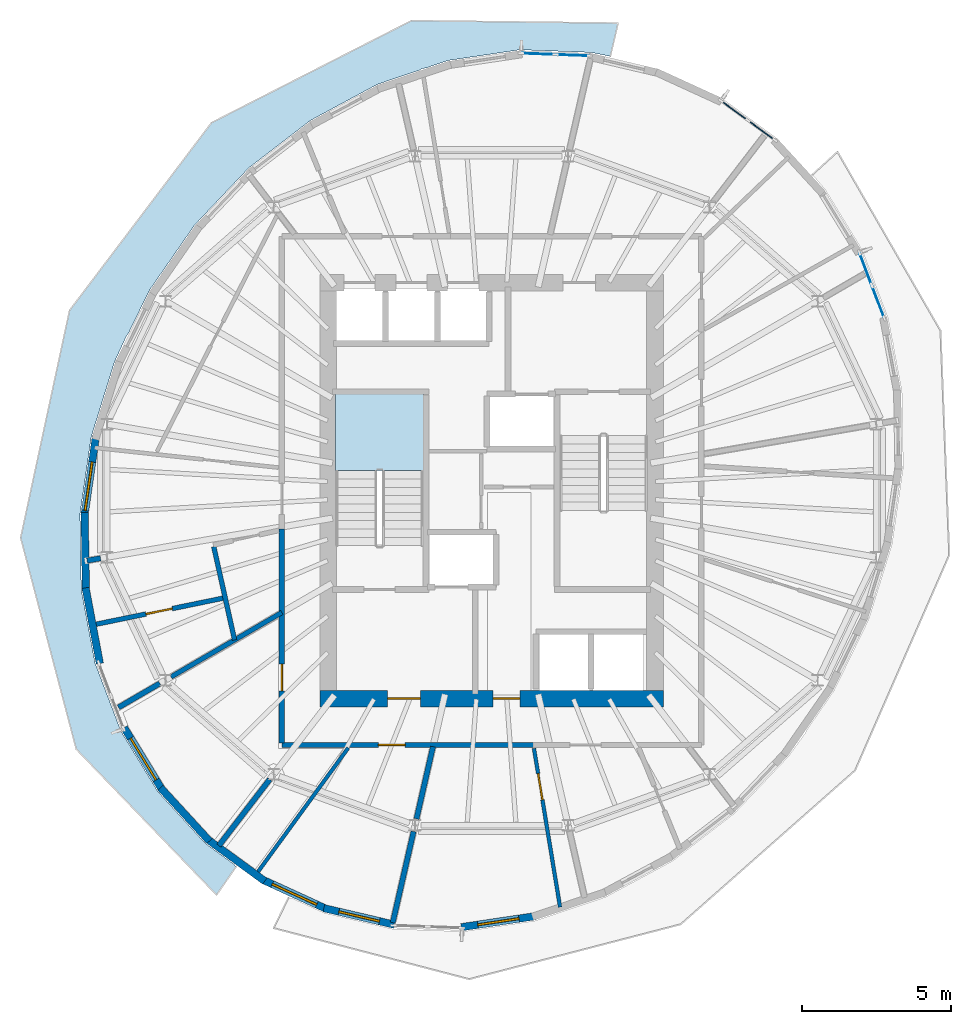
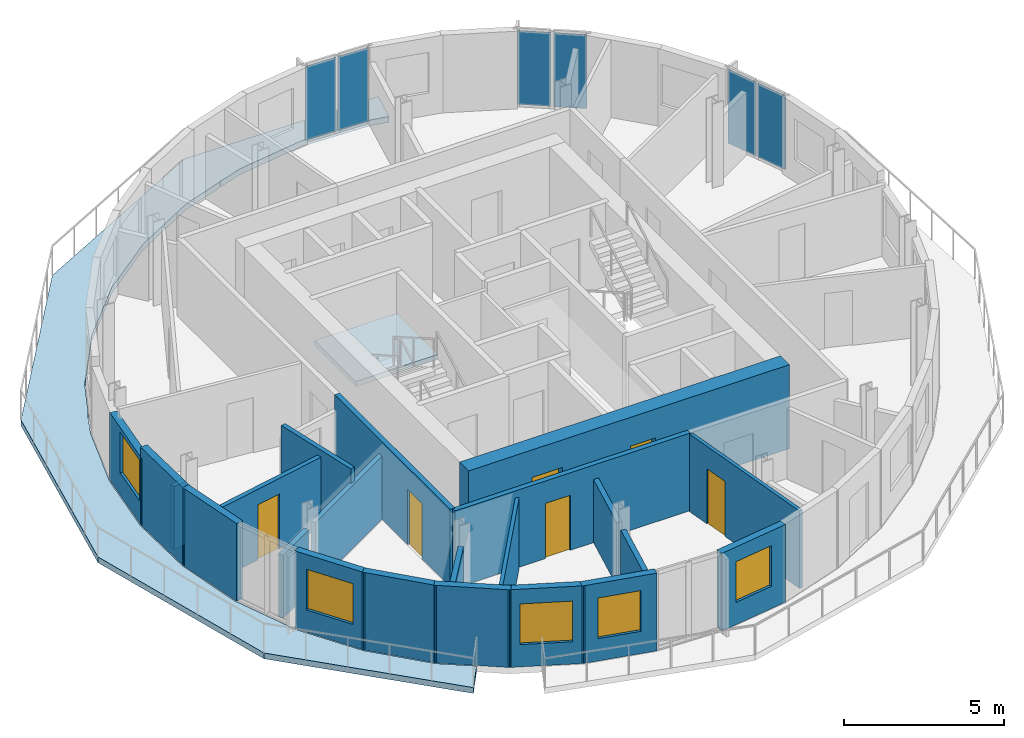
# One storey, part 4 of 11: 22 walls, 6 doors, 6 plates, 5 windows, 2 slabs, 11 openings, 4 elements without a shape of their own.
"""IFC4 building model written with IfcOpenShell, lengths in metres."""

from ifc_helpers import new_model, si_unit, direction, frame, frame_2d, origin, origin_2d, place, context, subcontext, project, spatial, polyline, rectangle, outline, extrude, material, layer, layer_set, type_object, element, fill, aggregate, save


model = new_model("IFC4")

# Units and contexts
model_context = context("Model", 3, precision=1e-05, world=origin(), true_north=direction((0.0, 1.0)))
body_context = subcontext(model_context, "Body", "Model", "MODEL_VIEW")
ifc_project = project(units=[si_unit("LENGTHUNIT", "METRE"), si_unit("AREAUNIT", "SQUARE_METRE"), si_unit("VOLUMEUNIT", "CUBIC_METRE"), si_unit("PLANEANGLEUNIT", "RADIAN"), si_unit("MASSUNIT", "GRAM", prefix="KILO")], contexts=[model_context])

# Site, building, storey
site_placement = place(None, origin())
site = spatial("IfcSite", under=ifc_project, at=site_placement, CompositionType="ELEMENT")
building_placement = place(site_placement, origin())
building = spatial("IfcBuilding", under=site, at=building_placement, Name="Veldorim Arch Residences", CompositionType="ELEMENT")
storey_placement = place(building_placement, frame((0.0, 0.0, 236.639892578125)))
storey = spatial("IfcBuildingStorey", under=building, at=storey_placement, Name="L71", CompositionType="ELEMENT", Elevation=236.639892578125)

# Slab
ifc_material_1 = material(Name="Concrete C40/50", Category="concrete")
ifc_layer_1 = layer(ifc_material_1, 0.219970703125, Name="Planted Crescent Cantilever Balcony Slab 220")
ifc_layer_set_1 = layer_set([ifc_layer_1], Name="Concrete C40/50")
slab_type_1 = type_object("IfcSlabType", Name="Planted Crescent Cantilever Balcony Slab 220", PredefinedType="FLOOR", material=ifc_layer_set_1)
slab_1_placement = place(storey_placement, frame((0.0, 0.0, -0.219970703125)))
element("IfcSlab", 1, at=slab_1_placement, inside=storey, type_object=slab_type_1, Name="L71 planted crescent balcony slab A", PredefinedType="FLOOR", context=body_context, shape_type="SweptSolid", body=[
    extrude(outline(polyline([(35.997314453125, 38.618896484375), (35.3486328125, 38.74951171875), (32.957763671875, 38.83935546875), (30.537841796875, 38.478271484375), (29.7763671875, 38.221435546875), (29.680419921875, 38.21533203125), (29.5712890625, 38.15234375), (28.162841796875, 37.677490234375), (25.904296875, 36.4609375), (23.831298828125, 34.8662109375), (22.00634765625, 32.94140625), (20.485107421875, 30.7451171875), (19.787109375, 29.314697265625), (19.71484375, 29.21630859375), (19.313232421875, 28.34375), (18.52685546875, 25.810546875), (18.14990234375, 23.222412109375), (18.193359375, 20.65771484375), (18.656494140625, 18.194091796875), (19.52490234375, 15.906982421875), (20.772705078125, 13.865478515625), (22.36181640625, 12.132080078125), (23.31396484375, 11.4375), (23.397705078125, 11.33642578125), (22.7421875, 10.3916015625), (18.0205078125, 15.2978515625), (16.1494140625, 22.412841796875), (17.7958984375, 30.069091796875), (22.573486328125, 36.384765625), (29.302978515625, 39.819091796875), (36.259033203125, 39.73876953125), (35.997314453125, 38.618896484375)])), origin(), (0.0, 0.0, 1.0), 0.219970703125),
])

# Stair, slab
ifc_material_2 = material(Name="Concrete C40/50", Category="concrete")
stair_type = type_object("IfcStairType", Name="Reinforced Concrete Dogleg Exit Staircase", PredefinedType="HALF_TURN_STAIR", material=ifc_material_2)
stair_placement = place(storey_placement, origin())
stair = element("IfcStair", 2, at=stair_placement, inside=storey, type_object=stair_type, Name="L71 Exit Staircase ST-1", PredefinedType="HALF_TURN_STAIR")
ifc_material_3 = material(Name="Concrete C40/50", Category="concrete")
ifc_layer_2 = layer(ifc_material_3, 0.199951171875, Name="Reinforced Concrete Stair Landing 200")
ifc_layer_set_2 = layer_set([ifc_layer_2], Name="Concrete C40/50")
slab_type_2 = type_object("IfcSlabType", Name="Reinforced Concrete Stair Landing 200", PredefinedType="LANDING", material=ifc_layer_set_2)
slab_2_placement = place(storey_placement, frame((0.0, 0.0, 1.400146484375)))
slab_2 = element("IfcSlab", 3, at=slab_2_placement, type_object=slab_type_2, Name="ST-1 landing 1", PredefinedType="LANDING", context=body_context, shape_type="SweptSolid", body=[
    extrude(outline(polyline([(29.7099609375, 24.669921875), (29.7099609375, 27.25), (26.75, 27.25), (26.75, 24.669921875), (29.7099609375, 24.669921875)])), origin(), (0.0, 0.0, 1.0), 0.199951171875),
])
aggregate(stair, [slab_2])

# Curtain wall, plates
ifc_material_4 = material(Name="Aluminium", Category="aluminium")
curtain_wall_type = type_object("IfcCurtainWallType", Name="Zone 4 High-Altitude Unitised Curtain Wall", PredefinedType="NOTDEFINED", material=ifc_material_4)
curtain_wall_1_placement = place(storey_placement, origin())
curtain_wall_1 = element("IfcCurtainWall", 4, at=curtain_wall_1_placement, inside=storey, type_object=curtain_wall_type, Name="L71 unitised curtain wall bay 03", PredefinedType="NOTDEFINED")
ifc_material_5 = material(Name="Laminated Low-E Glass", Category="glass")
ifc_layer_3 = layer(ifc_material_5, 0.030029296875, Name="Zone 4 High-Altitude Unitised Curtain Wall Glazing Panel 30")
ifc_layer_set_3 = layer_set([ifc_layer_3], Name="Laminated Low-E Glass")
plate_type = type_object("IfcPlateType", Name="Zone 4 High-Altitude Unitised Curtain Wall Glazing Panel 30", PredefinedType="CURTAIN_PANEL", material=ifc_layer_set_3)
plate_1_placement = place(storey_placement, frame((33.571044921875, 38.701171875, 0.0751953125), z_axis=(0.0, 0.0, 1.0), x_axis=(0.999292627791, -0.037606436173, 0.0)))
plate_1 = element("IfcPlate", 5, at=plate_1_placement, type_object=plate_type, Name="CW-Z4 panel 1.1", PredefinedType="CURTAIN_PANEL", context=body_context, shape_type="SweptSolid", body=[
    extrude(rectangle(XDim=1.08154296875, YDim=0.030029296875, at=origin_2d()), origin(), (0.0, 0.0, 1.0), 2.81005859375),
])
plate_2_placement = place(storey_placement, frame((34.7265625, 38.65771484375, 0.0751953125), z_axis=(0.0, 0.0, 1.0), x_axis=(0.999292627791, -0.037606436173, 0.0)))
plate_2 = element("IfcPlate", 6, at=plate_2_placement, type_object=plate_type, Name="CW-Z4 panel 2.1", PredefinedType="CURTAIN_PANEL", context=body_context, shape_type="SweptSolid", body=[
    extrude(rectangle(XDim=1.08154296875, YDim=0.030029296875, at=origin_2d()), origin(), (0.0, 0.0, 1.0), 2.81005859375),
])
aggregate(curtain_wall_1, [plate_1, plate_2])

curtain_wall_2_placement = place(storey_placement, origin())
curtain_wall_2 = element("IfcCurtainWall", 7, at=curtain_wall_2_placement, inside=storey, type_object=curtain_wall_type, Name="L71 unitised curtain wall bay 33", PredefinedType="NOTDEFINED")
plate_3_placement = place(storey_placement, frame((44.591796875, 31.461669921875, 0.0751953125), z_axis=(0.0, 0.0, 1.0), x_axis=(0.355002333755, -0.934865414393, 0.0)))
plate_3 = element("IfcPlate", 8, at=plate_3_placement, type_object=plate_type, Name="CW-Z4 panel 1.1", PredefinedType="CURTAIN_PANEL", context=body_context, shape_type="SweptSolid", body=[
    extrude(rectangle(XDim=1.1083984375, YDim=0.030029296875, at=origin_2d()), origin(), (0.0, 0.0, 1.0), 2.81005859375),
])
plate_4_placement = place(storey_placement, frame((45.011962890625, 30.355224609375, 0.0751953125), z_axis=(0.0, 0.0, 1.0), x_axis=(0.355002333755, -0.934865414393, 0.0)))
plate_4 = element("IfcPlate", 9, at=plate_4_placement, type_object=plate_type, Name="CW-Z4 panel 2.1", PredefinedType="CURTAIN_PANEL", context=body_context, shape_type="SweptSolid", body=[
    extrude(rectangle(XDim=1.1083984375, YDim=0.030029296875, at=origin_2d()), origin(), (0.0, 0.0, 1.0), 2.81005859375),
])
aggregate(curtain_wall_2, [plate_3, plate_4])

curtain_wall_3_placement = place(storey_placement, origin())
curtain_wall_3 = element("IfcCurtainWall", 10, at=curtain_wall_3_placement, inside=storey, type_object=curtain_wall_type, Name="L71 unitised curtain wall bay 36", PredefinedType="NOTDEFINED")
plate_5_placement = place(storey_placement, frame((40.1748046875, 36.79296875, 0.0751953125), z_axis=(0.0, 0.0, 1.0), x_axis=(0.807929877105, -0.589278638406, 0.0)))
plate_5 = element("IfcPlate", 11, at=plate_5_placement, type_object=plate_type, Name="CW-Z4 panel 1.1", PredefinedType="CURTAIN_PANEL", context=body_context, shape_type="SweptSolid", body=[
    extrude(rectangle(XDim=1.0498046875, YDim=0.030029296875, at=origin_2d()), origin(), (0.0, 0.0, 1.0), 2.81005859375),
])
plate_6_placement = place(storey_placement, frame((41.083740234375, 36.130126953125, 0.0751953125), z_axis=(0.0, 0.0, 1.0), x_axis=(0.807929877105, -0.589278638406, 0.0)))
plate_6 = element("IfcPlate", 12, at=plate_6_placement, type_object=plate_type, Name="CW-Z4 panel 2.1", PredefinedType="CURTAIN_PANEL", context=body_context, shape_type="SweptSolid", body=[
    extrude(rectangle(XDim=1.0498046875, YDim=0.030029296875, at=origin_2d()), origin(), (0.0, 0.0, 1.0), 2.81005859375),
])
aggregate(curtain_wall_3, [plate_5, plate_6])

# Wall
ifc_material_6 = material(Name="Acoustic Gypsum Board", Category="gypsum")
ifc_layer_4 = layer(ifc_material_6, 0.125, Name="Acoustic Stud Room Partition Wall 125")
ifc_layer_set_4 = layer_set([ifc_layer_4], Name="Acoustic Gypsum Board")
wall_type_1 = type_object("IfcWallType", Name="Acoustic Stud Room Partition Wall 125", PredefinedType="PARTITIONING", material=ifc_layer_set_4)
wall_1_placement = place(storey_placement, frame((24.07568359375, 11.086181640625, 0.0), z_axis=(0.0, 0.0, 1.0), x_axis=(0.588877051888, 0.808222628834, 0.0)))
element("IfcWall", 13, at=wall_1_placement, inside=storey, type_object=wall_type_1, Name="L71 interior wall WL-RES-L71-009", PredefinedType="PARTITIONING", context=body_context, shape_type="SweptSolid", body=[
    extrude(rectangle(XDim=5.266845703125, YDim=0.125, at=frame_2d((2.63330078125, 0.0))), origin(), (0.0, 0.0, 1.0), 2.692138671875),
])

# Wall, opening, door
wall_2_placement = place(storey_placement, frame((34.306396484375, 9.98046875, 0.0), z_axis=(0.0, 0.0, 1.0), x_axis=(-0.162328724732, 0.98673673547, 0.0)))
wall_2 = element("IfcWall", 14, at=wall_2_placement, inside=storey, type_object=wall_type_1, Name="L71 interior wall WL-RES-L71-013", PredefinedType="PARTITIONING", context=body_context, shape_type="SweptSolid", body=[
    extrude(rectangle(XDim=5.412841796875, YDim=0.125, at=frame_2d((2.70654296875, 0.0))), origin(), (0.0, 0.0, 1.0), 2.955078125),
])
opening_1_placement = place(wall_2_placement, frame((3.656494140625, 0.0, 0.0)))
opening_1 = element("IfcOpeningElement", 15, at=opening_1_placement, cuts=wall_2, Name="Opening DR-INT", PredefinedType="OPENING", context=body_context, shape_type="SweptSolid", body=[
    extrude(rectangle(XDim=0.89990234375, YDim=2.10009765625, at=frame_2d((0.449951171875, 1.050048828125))), frame((0.0, 0.072509765625, 0.0), z_axis=(0.0, -1.0, 0.0), x_axis=(1.0, 0.0, 0.0)), (0.0, 0.0, 1.0), 0.14501953125),
])
ifc_material_7 = material(Name="Engineered Timber", Category="wood")
door_type_1 = type_object("IfcDoorType", Name="Apartment Internal Room Timber Door 900x2100", OperationType="SINGLE_SWING_LEFT", PredefinedType="DOOR", material=ifc_material_7)
door_1_placement = place(opening_1_placement, origin())
door_1 = element("IfcDoor", 16, at=door_1_placement, inside=storey, type_object=door_type_1, Name="L71 interior door DR-RES-L71-005", OperationType="SINGLE_SWING_LEFT", OverallHeight=2.10009765625, OverallWidth=0.89990234375, PredefinedType="DOOR", context=body_context, shape_type="SweptSolid", body=[
    extrude(rectangle(XDim=0.89990234375, YDim=2.10009765625, at=frame_2d((0.449951171875, 1.050048828125))), frame((0.0, 0.02490234375, 0.0), z_axis=(0.0, -1.0, 0.0), x_axis=(1.0, 0.0, 0.0)), (0.0, 0.0, 1.0), 0.050048828125),
])
fill(opening_1, door_1)

# Walls
ifc_material_8 = material(Name="Lightweight Masonry Block & Gypsum", Category="masonry")
ifc_layer_5 = layer(ifc_material_8, 0.179931640625, Name="Compartment & Corridor Fire-Rated Party Wall 180")
ifc_layer_set_5 = layer_set([ifc_layer_5], Name="Lightweight Masonry Block & Gypsum")
wall_type_2 = type_object("IfcWallType", Name="Compartment & Corridor Fire-Rated Party Wall 180", PredefinedType="PARTITIONING", material=ifc_layer_set_5)
wall_3_placement = place(storey_placement, frame((18.83740234375, 21.722900390625, 0.0), z_axis=(0.0, 0.0, 1.0), x_axis=(-0.985450971837, -0.169959942652, 0.0)))
element("IfcWall", 17, at=wall_3_placement, inside=storey, type_object=wall_type_2, Name="L71 interior wall WL-PIER-L71-09", PredefinedType="PARTITIONING", context=body_context, shape_type="SweptSolid", body=[
    extrude(rectangle(XDim=0.462646484375, YDim=0.179931640625, at=frame_2d((0.2314453125, 0.0))), origin(), (0.0, 0.0, 1.0), 2.403564453125),
])
wall_4_placement = place(storey_placement, frame((20.834716796875, 17.51171875, 0.0), z_axis=(0.0, 0.0, 1.0), x_axis=(-0.864591417654, -0.50247555216, 0.0)))
element("IfcWall", 18, at=wall_4_placement, inside=storey, type_object=wall_type_2, Name="L71 interior wall WL-PIER-L71-10", PredefinedType="PARTITIONING", context=body_context, shape_type="SweptSolid", body=[
    extrude(rectangle(XDim=1.610595703125, YDim=0.179931640625, at=frame_2d((0.80517578125, 0.0))), origin(), (0.0, 0.0, 1.0), 2.403564453125),
])
wall_5_placement = place(storey_placement, frame((24.53271484375, 14.280517578125, 0.0), z_axis=(0.0, 0.0, 1.0), x_axis=(-0.609215330611, -0.793004842954, 0.0)))
element("IfcWall", 19, at=wall_5_placement, inside=storey, type_object=wall_type_2, Name="L71 interior wall WL-PIER-L71-11", PredefinedType="PARTITIONING", context=body_context, shape_type="SweptSolid", body=[
    extrude(rectangle(XDim=2.810791015625, YDim=0.179931640625, at=frame_2d((1.4052734375, 0.0))), origin(), (0.0, 0.0, 1.0), 2.403564453125),
])
wall_6_placement = place(storey_placement, frame((29.3759765625, 12.526611328125, 0.0), z_axis=(0.0, 0.0, 1.0), x_axis=(-0.222991059039, -0.974820489931, 0.0)))
element("IfcWall", 20, at=wall_6_placement, inside=storey, type_object=wall_type_2, Name="L71 interior wall WL-PIER-L71-12", PredefinedType="PARTITIONING", context=body_context, shape_type="SweptSolid", body=[
    extrude(rectangle(XDim=3.14990234375, YDim=0.179931640625, at=frame_2d((1.574951171875, 0.0))), origin(), (0.0, 0.0, 1.0), 2.403564453125),
])

# Wall, opening, door
wall_7_placement = place(storey_placement, frame((33.428466796875, 15.43994140625, 0.0), z_axis=(0.0, 0.0, 1.0), x_axis=(-1.0, 0.0, 0.0)))
wall_7 = element("IfcWall", 21, at=wall_7_placement, inside=storey, type_object=wall_type_2, Name="L71 interior wall WL-RES-L71-001", PredefinedType="PARTITIONING", context=body_context, shape_type="SweptSolid", body=[
    extrude(rectangle(XDim=8.488525390625, YDim=0.179931640625, at=frame_2d((4.244140625, 0.0))), origin(), (0.0, 0.0, 1.0), 2.955078125),
])
opening_2_placement = place(wall_7_placement, frame((4.335693359375, 0.0, 0.0)))
opening_2 = element("IfcOpeningElement", 22, at=opening_2_placement, cuts=wall_7, Name="Opening DR-SVC", PredefinedType="OPENING", context=body_context, shape_type="SweptSolid", body=[
    extrude(rectangle(XDim=0.89990234375, YDim=2.10009765625, at=frame_2d((0.449951171875, 1.050048828125))), frame((0.0, 0.099853515625, 0.0), z_axis=(0.0, -1.0, 0.0), x_axis=(1.0, 0.0, 0.0)), (0.0, 0.0, 1.0), 0.199951171875),
])
ifc_material_9 = material(Name="Fire-Rated Steel", Category="steel")
door_type_2 = type_object("IfcDoorType", Name="Riser, Shelter & Plant Room Rated Steel Door 900x2100", OperationType="SINGLE_SWING_LEFT", PredefinedType="DOOR", material=ifc_material_9)
door_2_placement = place(opening_2_placement, origin())
door_2 = element("IfcDoor", 23, at=door_2_placement, inside=storey, type_object=door_type_2, Name="L71 interior door DR-RES-L71-001", OperationType="SINGLE_SWING_LEFT", OverallHeight=2.10009765625, OverallWidth=0.89990234375, PredefinedType="DOOR", context=body_context, shape_type="SweptSolid", body=[
    extrude(rectangle(XDim=0.89990234375, YDim=2.10009765625, at=frame_2d((0.449951171875, 1.050048828125))), frame((0.0, 0.02490234375, 0.0), z_axis=(0.0, -1.0, 0.0), x_axis=(1.0, 0.0, 0.0)), (0.0, 0.0, 1.0), 0.050048828125),
])
fill(opening_2, door_2)

wall_8_placement = place(storey_placement, frame((24.93994140625, 15.5, 0.0), z_axis=(0.0, 0.0, 1.0), x_axis=(0.0, 1.0, 0.0)))
wall_8 = element("IfcWall", 24, at=wall_8_placement, inside=storey, type_object=wall_type_2, Name="L71 interior wall WL-RES-L71-002", PredefinedType="PARTITIONING", context=body_context, shape_type="SweptSolid", body=[
    extrude(rectangle(XDim=7.202880859375, YDim=0.179931640625, at=frame_2d((3.6015625, 0.0))), origin(), (0.0, 0.0, 1.0), 2.955078125),
])
opening_3_placement = place(wall_8_placement, frame((1.7587890625, 0.0, 0.0)))
opening_3 = element("IfcOpeningElement", 25, at=opening_3_placement, cuts=wall_8, Name="Opening DR-INT", PredefinedType="OPENING", context=body_context, shape_type="SweptSolid", body=[
    extrude(rectangle(XDim=0.89990234375, YDim=2.10009765625, at=frame_2d((0.449951171875, 1.050048828125))), frame((0.0, 0.099853515625, 0.0), z_axis=(0.0, -1.0, 0.0), x_axis=(1.0, 0.0, 0.0)), (0.0, 0.0, 1.0), 0.199951171875),
])
door_3_placement = place(opening_3_placement, origin())
door_3 = element("IfcDoor", 26, at=door_3_placement, inside=storey, type_object=door_type_1, Name="L71 interior door DR-RES-L71-002", OperationType="SINGLE_SWING_RIGHT", OverallHeight=2.10009765625, OverallWidth=0.89990234375, PredefinedType="DOOR", context=body_context, shape_type="SweptSolid", body=[
    extrude(rectangle(XDim=0.89990234375, YDim=2.10009765625, at=frame_2d((0.449951171875, 1.050048828125))), frame((0.0, 0.02490234375, 0.0), z_axis=(0.0, -1.0, 0.0), x_axis=(1.0, 0.0, 0.0)), (0.0, 0.0, 1.0), 0.050048828125),
])
fill(opening_3, door_3)

# Wall
wall_9_placement = place(storey_placement, frame((30.02880859375, 15.381591796875, 0.0), z_axis=(0.0, 0.0, 1.0), x_axis=(-0.222978952174, -0.974823259308, 0.0)))
element("IfcWall", 27, at=wall_9_placement, inside=storey, type_object=wall_type_2, Name="L71 interior wall WL-RES-L71-010", PredefinedType="PARTITIONING", context=body_context, shape_type="SweptSolid", body=[
    extrude(rectangle(XDim=2.494140625, YDim=0.179931640625, at=frame_2d((1.2470703125, 0.0))), origin(), (0.0, 0.0, 1.0), 2.403564453125),
])

# Wall, opening, window
ifc_material_10 = material(Name="Precast concrete C40/50", Category="concrete")
ifc_layer_6 = layer(ifc_material_10, 0.25, Name="Tower Terracotta Spandrel & Pier Wall 250")
ifc_layer_set_6 = layer_set([ifc_layer_6], Name="Precast concrete C40/50")
wall_type_3 = type_object("IfcWallType", Name="Tower Terracotta Spandrel & Pier Wall 250", PredefinedType="SOLIDWALL", material=ifc_layer_set_6)
wall_10_placement = place(storey_placement, frame((18.2919921875, 23.158203125, 0.0), z_axis=(0.0, 0.0, 1.0), x_axis=(0.144229466115, 0.989544269401, 0.0)))
wall_10 = element("IfcWall", 28, at=wall_10_placement, inside=storey, type_object=wall_type_3, Name="L71 terracotta facade wall 12", PredefinedType="SOLIDWALL", context=body_context, shape_type="SweptSolid", body=[
    extrude(rectangle(XDim=2.70166015625, YDim=0.25, at=frame_2d((1.350830078125, 0.0))), origin(), (0.0, 0.0, 1.0), 2.5771484375),
])
opening_4_placement = place(wall_10_placement, frame((0.175048828125, 0.0, 0.85009765625)))
opening_4 = element("IfcOpeningElement", 29, at=opening_4_placement, cuts=wall_10, Name="Opening WN-03", PredefinedType="OPENING", context=body_context, shape_type="SweptSolid", body=[
    extrude(rectangle(XDim=1.64990234375, YDim=1.550048828125, at=frame_2d((0.824951171875, 0.77490234375))), frame((0.0, 0.135009765625, 0.0), z_axis=(0.0, -1.0, 0.0), x_axis=(1.0, 0.0, 0.0)), (0.0, 0.0, 1.0), 0.27001953125),
])
ifc_material_11 = material(Name="Laminated Low-E Glass", Category="glass")
window_type_1 = type_object("IfcWindowType", Name="Residential Wide Window 1650x1550", PartitioningType="SINGLE_PANEL", PredefinedType="WINDOW", material=ifc_material_11)
window_1_placement = place(opening_4_placement, origin())
window_1 = element("IfcWindow", 30, at=window_1_placement, inside=storey, type_object=window_type_1, Name="L71 solar-control facade window 12", OverallHeight=1.550048828125, OverallWidth=1.64990234375, PartitioningType="SINGLE_PANEL", PredefinedType="WINDOW", context=body_context, shape_type="SweptSolid", body=[
    extrude(rectangle(XDim=1.64990234375, YDim=1.550048828125, at=frame_2d((0.824951171875, 0.77490234375))), frame((0.0, 0.030029296875, 0.0), z_axis=(0.0, -1.0, 0.0), x_axis=(1.0, 0.0, 0.0)), (0.0, 0.0, 1.0), 0.06005859375),
])
fill(opening_4, window_1)

# Walls
wall_11_placement = place(storey_placement, frame((18.343994140625, 20.6171875, 0.0), z_axis=(0.0, 0.0, 1.0), x_axis=(-0.016945158089, 0.999856420501, 0.0)))
element("IfcWall", 31, at=wall_11_placement, inside=storey, type_object=wall_type_3, Name="L71 terracotta facade wall 13", PredefinedType="SOLIDWALL", context=body_context, shape_type="SweptSolid", body=[
    extrude(rectangle(XDim=2.651123046875, YDim=0.25, at=frame_2d((1.32568359375, 0.0))), origin(), (0.0, 0.0, 1.0), 2.960205078125),
])
wall_12_placement = place(storey_placement, frame((18.811767578125, 18.179931640625, 0.0), z_axis=(0.0, 0.0, 1.0), x_axis=(-0.184783228791, 0.982779302976, 0.0)))
element("IfcWall", 32, at=wall_12_placement, inside=storey, type_object=wall_type_3, Name="L71 terracotta facade wall 14", PredefinedType="SOLIDWALL", context=body_context, shape_type="SweptSolid", body=[
    extrude(rectangle(XDim=2.59228515625, YDim=0.25, at=frame_2d((1.296142578125, 0.0))), origin(), (0.0, 0.0, 1.0), 2.960205078125),
])

# Wall, opening, window
wall_13_placement = place(storey_placement, frame((20.9228515625, 13.907470703125, 0.0), z_axis=(0.0, 0.0, 1.0), x_axis=(-0.52150580366, 0.853247734687, 0.0)))
wall_13 = element("IfcWall", 33, at=wall_13_placement, inside=storey, type_object=wall_type_3, Name="L71 terracotta facade wall 16", PredefinedType="SOLIDWALL", context=body_context, shape_type="SweptSolid", body=[
    extrude(rectangle(XDim=2.477783203125, YDim=0.25, at=frame_2d((1.23876953125, 0.0))), origin(), (0.0, 0.0, 1.0), 2.960205078125),
])
opening_5_placement = place(wall_13_placement, frame((0.4140625, 0.0, 0.85009765625)))
opening_5 = element("IfcOpeningElement", 34, at=opening_5_placement, cuts=wall_13, Name="Opening WN-03", PredefinedType="OPENING", context=body_context, shape_type="SweptSolid", body=[
    extrude(rectangle(XDim=1.64990234375, YDim=1.550048828125, at=frame_2d((0.824951171875, 0.77490234375))), frame((0.0, 0.135009765625, 0.0), z_axis=(0.0, -1.0, 0.0), x_axis=(1.0, 0.0, 0.0)), (0.0, 0.0, 1.0), 0.27001953125),
])
window_2_placement = place(opening_5_placement, origin())
window_2 = element("IfcWindow", 35, at=window_2_placement, inside=storey, type_object=window_type_1, Name="L71 solar-control facade window 16", OverallHeight=1.550048828125, OverallWidth=1.64990234375, PartitioningType="SINGLE_PANEL", PredefinedType="WINDOW", context=body_context, shape_type="SweptSolid", body=[
    extrude(rectangle(XDim=1.64990234375, YDim=1.550048828125, at=frame_2d((0.824951171875, 0.77490234375))), frame((0.0, 0.030029296875, 0.0), z_axis=(0.0, -1.0, 0.0), x_axis=(1.0, 0.0, 0.0)), (0.0, 0.0, 1.0), 0.06005859375),
])
fill(opening_5, window_2)

# Walls
wall_14_placement = place(storey_placement, frame((22.501220703125, 12.2021484375, 0.0), z_axis=(0.0, 0.0, 1.0), x_axis=(-0.675783606308, 0.737100072884, 0.0)))
element("IfcWall", 36, at=wall_14_placement, inside=storey, type_object=wall_type_3, Name="L71 terracotta facade wall 17", PredefinedType="SOLIDWALL", context=body_context, shape_type="SweptSolid", body=[
    extrude(rectangle(XDim=2.436767578125, YDim=0.25, at=frame_2d((1.21826171875, 0.0))), origin(), (0.0, 0.0, 1.0), 2.960205078125),
])
wall_15_placement = place(storey_placement, frame((24.36669921875, 10.85546875, 0.0), z_axis=(0.0, 0.0, 1.0), x_axis=(-0.80791325233, 0.589301431111, 0.0)))
element("IfcWall", 37, at=wall_15_placement, inside=storey, type_object=wall_type_3, Name="L71 terracotta facade wall 18", PredefinedType="SOLIDWALL", context=body_context, shape_type="SweptSolid", body=[
    extrude(rectangle(XDim=2.41455078125, YDim=0.25, at=frame_2d((1.207275390625, 0.0))), origin(), (0.0, 0.0, 1.0), 2.960205078125),
])

# Wall, opening, window
wall_16_placement = place(storey_placement, frame((26.463134765625, 9.907470703125, 0.0), z_axis=(0.0, 0.0, 1.0), x_axis=(-0.909098330543, 0.416581595133, 0.0)))
wall_16 = element("IfcWall", 38, at=wall_16_placement, inside=storey, type_object=wall_type_3, Name="L71 terracotta facade wall 19", PredefinedType="SOLIDWALL", context=body_context, shape_type="SweptSolid", body=[
    extrude(rectangle(XDim=2.41455078125, YDim=0.25, at=frame_2d((1.207275390625, 0.0))), origin(), (0.0, 0.0, 1.0), 2.960205078125),
])
opening_6_placement = place(wall_16_placement, frame((0.382080078125, 0.0, 0.85009765625)))
opening_6 = element("IfcOpeningElement", 39, at=opening_6_placement, cuts=wall_16, Name="Opening WN-03", PredefinedType="OPENING", context=body_context, shape_type="SweptSolid", body=[
    extrude(rectangle(XDim=1.64990234375, YDim=1.550048828125, at=frame_2d((0.824951171875, 0.77490234375))), frame((0.0, 0.135009765625, 0.0), z_axis=(0.0, -1.0, 0.0), x_axis=(1.0, 0.0, 0.0)), (0.0, 0.0, 1.0), 0.27001953125),
])
window_3_placement = place(opening_6_placement, origin())
window_3 = element("IfcWindow", 40, at=window_3_placement, inside=storey, type_object=window_type_1, Name="L71 solar-control facade window 19", OverallHeight=1.550048828125, OverallWidth=1.64990234375, PartitioningType="SINGLE_PANEL", PredefinedType="WINDOW", context=body_context, shape_type="SweptSolid", body=[
    extrude(rectangle(XDim=1.64990234375, YDim=1.550048828125, at=frame_2d((0.824951171875, 0.77490234375))), frame((0.0, 0.030029296875, 0.0), z_axis=(0.0, -1.0, 0.0), x_axis=(1.0, 0.0, 0.0)), (0.0, 0.0, 1.0), 0.06005859375),
])
fill(opening_6, window_3)

wall_17_placement = place(storey_placement, frame((28.72705078125, 9.386962890625, 0.0), z_axis=(0.0, 0.0, 1.0), x_axis=(-0.973464451287, 0.228838288055, 0.0)))
wall_17 = element("IfcWall", 41, at=wall_17_placement, inside=storey, type_object=wall_type_3, Name="L71 terracotta facade wall 20", PredefinedType="SOLIDWALL", context=body_context, shape_type="SweptSolid", body=[
    extrude(rectangle(XDim=2.436767578125, YDim=0.25, at=frame_2d((1.21826171875, 0.0))), origin(), (0.0, 0.0, 1.0), 2.960205078125),
])
opening_7_placement = place(wall_17_placement, frame((0.51806640625, 0.0, 0.85009765625)))
opening_7 = element("IfcOpeningElement", 42, at=opening_7_placement, cuts=wall_17, Name="Opening WN-02", PredefinedType="OPENING", context=body_context, shape_type="SweptSolid", body=[
    extrude(rectangle(XDim=1.39990234375, YDim=1.550048828125, at=frame_2d((0.699951171875, 0.77490234375))), frame((0.0, 0.135009765625, 0.0), z_axis=(0.0, -1.0, 0.0), x_axis=(1.0, 0.0, 0.0)), (0.0, 0.0, 1.0), 0.27001953125),
])
ifc_material_12 = material(Name="Laminated Low-E Glass", Category="glass")
window_type_2 = type_object("IfcWindowType", Name="Residential Casement Window 1400x1550", PartitioningType="SINGLE_PANEL", PredefinedType="WINDOW", material=ifc_material_12)
window_4_placement = place(opening_7_placement, origin())
window_4 = element("IfcWindow", 43, at=window_4_placement, inside=storey, type_object=window_type_2, Name="L71 solar-control facade window 20", OverallHeight=1.550048828125, OverallWidth=1.39990234375, PartitioningType="SINGLE_PANEL", PredefinedType="WINDOW", context=body_context, shape_type="SweptSolid", body=[
    extrude(rectangle(XDim=1.39990234375, YDim=1.550048828125, at=frame_2d((0.699951171875, 0.77490234375))), frame((0.0, 0.030029296875, 0.0), z_axis=(0.0, -1.0, 0.0), x_axis=(1.0, 0.0, 0.0)), (0.0, 0.0, 1.0), 0.06005859375),
])
fill(opening_7, window_4)

wall_18_placement = place(storey_placement, frame((33.482421875, 9.676513671875, 0.0), z_axis=(0.0, 0.0, 1.0), x_axis=(-0.989047098021, -0.147600263873, 0.0)))
wall_18 = element("IfcWall", 44, at=wall_18_placement, inside=storey, type_object=wall_type_3, Name="L71 terracotta facade wall 22", PredefinedType="SOLIDWALL", context=body_context, shape_type="SweptSolid", body=[
    extrude(rectangle(XDim=2.532470703125, YDim=0.25, at=frame_2d((1.26611328125, 0.0))), origin(), (0.0, 0.0, 1.0), 2.960205078125),
])
opening_8_placement = place(wall_18_placement, frame((0.56591796875, 0.0, 0.85009765625)))
opening_8 = element("IfcOpeningElement", 45, at=opening_8_placement, cuts=wall_18, Name="Opening WN-02", PredefinedType="OPENING", context=body_context, shape_type="SweptSolid", body=[
    extrude(rectangle(XDim=1.39990234375, YDim=1.550048828125, at=frame_2d((0.699951171875, 0.77490234375))), frame((0.0, 0.135009765625, 0.0), z_axis=(0.0, -1.0, 0.0), x_axis=(1.0, 0.0, 0.0)), (0.0, 0.0, 1.0), 0.27001953125),
])
window_5_placement = place(opening_8_placement, origin())
window_5 = element("IfcWindow", 46, at=window_5_placement, inside=storey, type_object=window_type_2, Name="L71 solar-control facade window 22", OverallHeight=1.550048828125, OverallWidth=1.39990234375, PartitioningType="SINGLE_PANEL", PredefinedType="WINDOW", context=body_context, shape_type="SweptSolid", body=[
    extrude(rectangle(XDim=1.39990234375, YDim=1.550048828125, at=frame_2d((0.699951171875, 0.77490234375))), frame((0.0, 0.030029296875, 0.0), z_axis=(0.0, -1.0, 0.0), x_axis=(1.0, 0.0, 0.0)), (0.0, 0.0, 1.0), 0.06005859375),
])
fill(opening_8, window_5)

# Wall, openings, doors
ifc_material_13 = material(Name="Concrete C50/60", Category="concrete")
ifc_layer_7 = layer(ifc_material_13, 0.5, Name="Upper Central Core Shear Wall 560")
ifc_layer_set_7 = layer_set([ifc_layer_7], Name="Concrete C50/60")
wall_type_4 = type_object("IfcWallType", Name="Upper Central Core Shear Wall 560", PredefinedType="SHEAR", material=ifc_layer_set_7)
wall_19_placement = place(storey_placement, frame((26.219970703125, 17.0, 0.0), z_axis=(0.0, 0.0, 1.0), x_axis=(1.0, 0.0, 0.0)))
wall_19 = element("IfcWall", 47, at=wall_19_placement, inside=storey, type_object=wall_type_4, Name="L71 central core south shear wall", PredefinedType="SHEAR", context=body_context, shape_type="SweptSolid", body=[
    extrude(rectangle(XDim=11.56005859375, YDim=0.56005859375, at=frame_2d((5.780029296875, 0.0))), origin(), (0.0, 0.0, 1.0), 3.2001953125),
])
opening_9_placement = place(wall_19_placement, frame((2.280029296875, 0.0, 0.0)))
opening_9 = element("IfcOpeningElement", 48, at=opening_9_placement, cuts=wall_19, Name="Opening DR-FFL", PredefinedType="OPENING", context=body_context, shape_type="SweptSolid", body=[
    extrude(rectangle(XDim=1.10009765625, YDim=2.14990234375, at=frame_2d((0.550048828125, 1.074951171875))), frame((0.0, 0.2900390625, 0.0), z_axis=(0.0, -1.0, 0.0), x_axis=(1.0, 0.0, 0.0)), (0.0, 0.0, 1.0), 0.580078125),
])
opening_10_placement = place(wall_19_placement, frame((5.830078125, 0.0, 0.0)))
opening_10 = element("IfcOpeningElement", 49, at=opening_10_placement, cuts=wall_19, Name="Opening DR-SVC", PredefinedType="OPENING", context=body_context, shape_type="SweptSolid", body=[
    extrude(rectangle(XDim=0.89990234375, YDim=2.10009765625, at=frame_2d((0.449951171875, 1.050048828125))), frame((0.0, 0.2900390625, 0.0), z_axis=(0.0, -1.0, 0.0), x_axis=(1.0, 0.0, 0.0)), (0.0, 0.0, 1.0), 0.580078125),
])
ifc_material_14 = material(Name="Fire-Rated Steel & Vision Glass", Category="steel")
door_type_3 = type_object("IfcDoorType", Name="Firefighting Lobby Smoke-Stop Fire Door 1100x2150", OperationType="SINGLE_SWING_LEFT", PredefinedType="DOOR", material=ifc_material_14)
door_4_placement = place(opening_9_placement, origin())
door_4 = element("IfcDoor", 50, at=door_4_placement, inside=storey, type_object=door_type_3, Name="L71 interior door DR-L71-FFL1", OperationType="SINGLE_SWING_RIGHT", OverallHeight=2.14990234375, OverallWidth=1.10009765625, PredefinedType="DOOR", context=body_context, shape_type="SweptSolid", body=[
    extrude(rectangle(XDim=1.10009765625, YDim=2.14990234375, at=frame_2d((0.550048828125, 1.074951171875))), frame((0.0, 0.02490234375, 0.0), z_axis=(0.0, -1.0, 0.0), x_axis=(1.0, 0.0, 0.0)), (0.0, 0.0, 1.0), 0.050048828125),
])
fill(opening_9, door_4)
door_5_placement = place(opening_10_placement, origin())
door_5 = element("IfcDoor", 51, at=door_5_placement, inside=storey, type_object=door_type_2, Name="L71 interior door DR-L71-COR-ANC", OperationType="SINGLE_SWING_LEFT", OverallHeight=2.10009765625, OverallWidth=0.89990234375, PredefinedType="DOOR", context=body_context, shape_type="SweptSolid", body=[
    extrude(rectangle(XDim=0.89990234375, YDim=2.10009765625, at=frame_2d((0.449951171875, 1.050048828125))), frame((0.0, 0.02490234375, 0.0), z_axis=(0.0, -1.0, 0.0), x_axis=(1.0, 0.0, 0.0)), (0.0, 0.0, 1.0), 0.050048828125),
])
fill(opening_10, door_5)

# Wall
ifc_material_15 = material(Name="Moisture-Resistant Gypsum & Stud", Category="gypsum")
ifc_layer_8 = layer(ifc_material_15, 0.159912109375, Name="Wet-Area Moisture-Resistant Plumbing Wall 160")
ifc_layer_set_8 = layer_set([ifc_layer_8], Name="Moisture-Resistant Gypsum & Stud")
wall_type_5 = type_object("IfcWallType", Name="Wet-Area Moisture-Resistant Plumbing Wall 160", PredefinedType="PLUMBINGWALL", material=ifc_layer_set_8)
wall_20_placement = place(storey_placement, frame((21.209716796875, 17.7294921875, 0.0), z_axis=(0.0, 0.0, 1.0), x_axis=(0.864584371019, 0.502487676854, 0.0)))
element("IfcWall", 52, at=wall_20_placement, inside=storey, type_object=wall_type_5, Name="L71 interior wall WL-RES-L71-011", PredefinedType="PLUMBINGWALL", context=body_context, shape_type="SweptSolid", body=[
    extrude(rectangle(XDim=4.314453125, YDim=0.159912109375, at=frame_2d((2.1572265625, 0.0))), origin(), (0.0, 0.0, 1.0), 2.403564453125),
])

# Wall, opening, door
wall_21_placement = place(storey_placement, frame((23.031982421875, 20.395263671875, 0.0), z_axis=(0.0, 0.0, 1.0), x_axis=(-0.979533467042, -0.201281362638, 0.0)))
wall_21 = element("IfcWall", 53, at=wall_21_placement, inside=storey, type_object=wall_type_5, Name="L71 interior wall WL-RES-L71-024", PredefinedType="PLUMBINGWALL", context=body_context, shape_type="SweptSolid", body=[
    extrude(rectangle(XDim=4.54248046875, YDim=0.159912109375, at=frame_2d((2.271240234375, 0.0))), origin(), (0.0, 0.0, 1.0), 2.692138671875),
])
opening_11_placement = place(wall_21_placement, frame((1.8212890625, 0.0, 0.0)))
opening_11 = element("IfcOpeningElement", 54, at=opening_11_placement, cuts=wall_21, Name="Opening DR-WC", PredefinedType="OPENING", context=body_context, shape_type="SweptSolid", body=[
    extrude(rectangle(XDim=0.89990234375, YDim=2.10009765625, at=frame_2d((0.449951171875, 1.050048828125))), frame((0.0, 0.08984375, 0.0), z_axis=(0.0, -1.0, 0.0), x_axis=(1.0, 0.0, 0.0)), (0.0, 0.0, 1.0), 0.179931640625),
])
ifc_material_16 = material(Name="Laminate Timber", Category="wood")
door_type_4 = type_object("IfcDoorType", Name="Bathroom & Accessible WC Moisture-Sealed Door 900x2100", OperationType="SINGLE_SWING_LEFT", PredefinedType="DOOR", material=ifc_material_16)
door_6_placement = place(opening_11_placement, origin())
door_6 = element("IfcDoor", 55, at=door_6_placement, inside=storey, type_object=door_type_4, Name="L71 interior door DR-RES-L71-016", OperationType="SINGLE_SWING_RIGHT", OverallHeight=2.10009765625, OverallWidth=0.89990234375, PredefinedType="DOOR", context=body_context, shape_type="SweptSolid", body=[
    extrude(rectangle(XDim=0.89990234375, YDim=2.10009765625, at=frame_2d((0.449951171875, 1.050048828125))), frame((0.0, 0.02490234375, 0.0), z_axis=(0.0, -1.0, 0.0), x_axis=(1.0, 0.0, 0.0)), (0.0, 0.0, 1.0), 0.050048828125),
])
fill(opening_11, door_6)

# Wall
wall_22_placement = place(storey_placement, frame((22.649169921875, 22.1123046875, 0.0), z_axis=(0.0, 0.0, 1.0), x_axis=(0.21761353054, -0.97603501542, 0.0)))
element("IfcWall", 56, at=wall_22_placement, inside=storey, type_object=wall_type_5, Name="L71 interior wall WL-RES-L71-027", PredefinedType="PLUMBINGWALL", context=body_context, shape_type="SweptSolid", body=[
    extrude(rectangle(XDim=3.216552734375, YDim=0.159912109375, at=frame_2d((1.6083984375, 0.0))), origin(), (0.0, 0.0, 1.0), 2.955078125),
])

save(model, "model.ifc")
